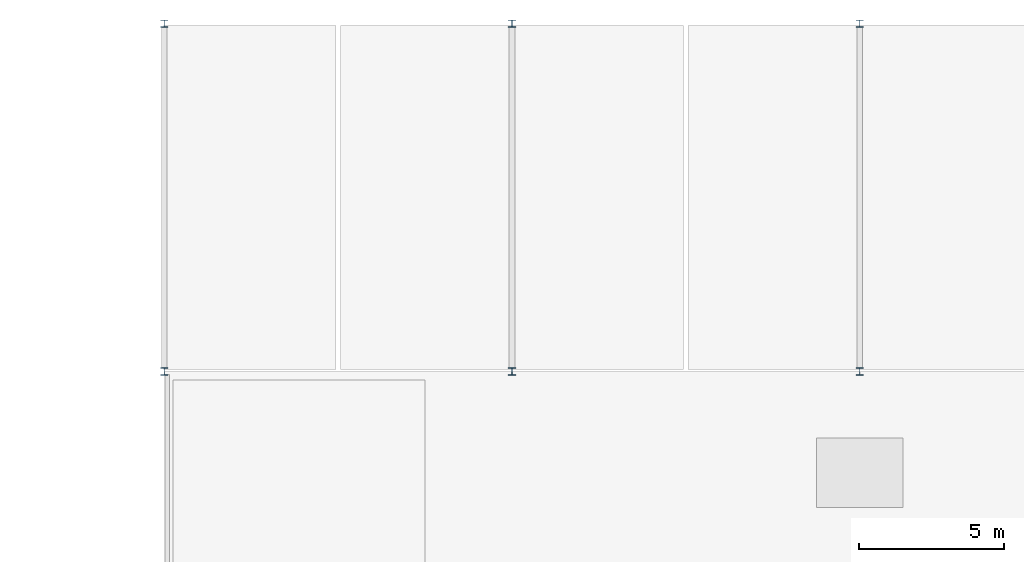
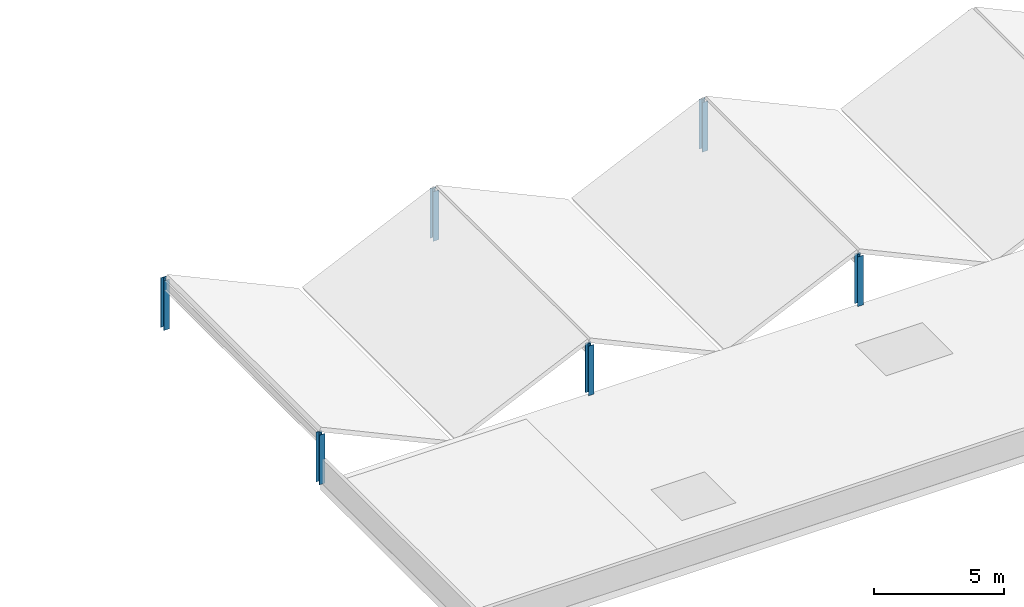
# One storey, part 3 of 83: 6 columns.
"""IFC4 building model written with IfcOpenShell, lengths in metres."""

import ifcopenshell
import ifcopenshell.guid

model = None  # the IFC model being written
_history = None  # IfcOwnerHistory: only IFC2X3 demands one
_inside = {}  # id of a spatial element -> (the spatial element, [elements in it])
_under = {}  # id of a project, library or spatial element -> (it, [spatial elements below it])
_declared = {}  # id of a project -> (the project, [libraries it declares])
_typed = {}  # id of a type object -> (the type object, [elements of that type])
_made_of = {}  # id of a material, layer set ... -> (it, [elements and type objects made of it])


def new_model(schema):
    """Start an empty IFC model of exactly this schema.

    Asked for "IFC4X3", IfcOpenShell would pick the latest addendum, in which some entities
    have other attributes; the version numbers below select the first issue.
    IFC2X3 requires an IfcOwnerHistory on every rooted entity: one is made here for all.
    """
    global model, _history
    if schema == "IFC4X3":
        model = ifcopenshell.file(schema_version=(4, 3, 0, 0))
    else:
        model = ifcopenshell.file(schema=schema)
    _inside.clear()
    _under.clear()
    _declared.clear()
    _typed.clear()
    _made_of.clear()
    _history = None
    if model.schema == "IFC2X3":
        org = make("IfcOrganization", Name="unknown")
        user = make(
            "IfcPersonAndOrganization",
            ThePerson=make("IfcPerson", FamilyName="unknown"),
            TheOrganization=org,
        )
        app = make(
            "IfcApplication",
            ApplicationDeveloper=org,
            Version="unknown",
            ApplicationFullName="unknown",
            ApplicationIdentifier="unknown",
        )
        _history = make(
            "IfcOwnerHistory",
            OwningUser=user,
            OwningApplication=app,
            ChangeAction="ADDED",
            CreationDate=0,
        )
    return model


def make(cls, **values):
    """One entity of the class cls with the attributes given. An attribute that is None is left unset."""
    return model.create_entity(
        cls, **{name: value for name, value in values.items() if value is not None}
    )


def rooted(cls, **values):
    """An entity with a GlobalId (a new one), such as an element, a storey or a relation."""
    return make(cls, GlobalId=ifcopenshell.guid.new(), OwnerHistory=_history, **values)


def si_unit(unit_type, name, prefix=None):
    """IfcSIUnit, for example si_unit("LENGTHUNIT", "METRE", prefix="MILLI")."""
    return make("IfcSIUnit", UnitType=unit_type, Prefix=prefix, Name=name)


def assignment(units):
    """IfcUnitAssignment: the units of a project."""
    return None if units is None else make("IfcUnitAssignment", Units=units)


def point(xyz):
    """IfcCartesianPoint."""
    return None if xyz is None else make("IfcCartesianPoint", Coordinates=xyz)


def direction(xyz):
    """IfcDirection."""
    return None if xyz is None else make("IfcDirection", DirectionRatios=xyz)


def frame(location, z_axis=None, x_axis=None):
    """IfcAxis2Placement3D, a coordinate frame: its origin and axes. An axis left out is left unset."""
    return make(
        "IfcAxis2Placement3D",
        Location=point(location),
        Axis=direction(z_axis),
        RefDirection=direction(x_axis),
    )


def frame_2d(location, x_axis=None):
    """IfcAxis2Placement2D, a coordinate frame in the plane: its origin and x axis."""
    return make(
        "IfcAxis2Placement2D", Location=point(location), RefDirection=direction(x_axis)
    )


def origin():
    """The frame at (0, 0, 0) with its axes left unset."""
    return frame((0.0, 0.0, 0.0))


def origin_2d():
    """The frame at (0, 0) in the plane with its x axis left unset."""
    return frame_2d((0.0, 0.0))


def place(relative_to, where):
    """IfcLocalPlacement: puts the frame where relative to a parent placement (None: the world)."""
    return make(
        "IfcLocalPlacement", PlacementRelTo=relative_to, RelativePlacement=where
    )


def context(
    kind, dimensions, precision=None, world=None, true_north=None, identifier=None
):
    """IfcGeometricRepresentationContext, for example the 3D "Model" context."""
    return make(
        "IfcGeometricRepresentationContext",
        ContextIdentifier=identifier,
        ContextType=kind,
        CoordinateSpaceDimension=dimensions,
        Precision=precision,
        WorldCoordinateSystem=world,
        TrueNorth=true_north,
    )


def subcontext(parent, identifier, kind, view, scale=None):
    """IfcGeometricRepresentationSubContext, for example "Body" below "Model"."""
    return make(
        "IfcGeometricRepresentationSubContext",
        ContextIdentifier=identifier,
        ContextType=kind,
        ParentContext=parent,
        TargetScale=scale,
        TargetView=view,
    )


def project(units=None, contexts=None):
    """IfcProject with its units and contexts."""
    return rooted(
        "IfcProject",
        Name="project",
        RepresentationContexts=contexts,
        UnitsInContext=assignment(units),
    )


def spatial(cls, under=None, at=None, **own):
    """A site, building, storey or space (cls), placed at a placement, below another one or the project."""
    s = rooted(cls, ObjectPlacement=at, **own)
    if under is not None:
        _under.setdefault(under.id(), (under, []))[1].append(s)
    return s


def profile(cls, at=None, kind="AREA", **sizes):
    """A parametric profile (cls). Its sizes go by their IFC names, for example OverallWidth=200.0."""
    return make(cls, ProfileType=kind, Position=at, **sizes)


def i_section(**sizes):
    """IfcIShapeProfileDef."""
    return profile("IfcIShapeProfileDef", **sizes)


def extrude(swept, where, along, depth):
    """IfcExtrudedAreaSolid: the profile swept, set in the frame where, extruded along a direction by depth."""
    return make(
        "IfcExtrudedAreaSolid",
        SweptArea=swept,
        Position=where,
        ExtrudedDirection=direction(along),
        Depth=depth,
    )


def shape(context_of_items, identifier, shape_type, items):
    """IfcShapeRepresentation: the items that make up one representation, for example the "Body"."""
    return make(
        "IfcShapeRepresentation",
        ContextOfItems=context_of_items,
        RepresentationIdentifier=identifier,
        RepresentationType=shape_type,
        Items=items,
    )


def material(Name=None, Category=None):
    """IfcMaterial."""
    return make("IfcMaterial", Name=Name, Category=Category)


def material_profile(
    of_material, cross_section, Name=None, Category=None, Priority=None
):
    """IfcMaterialProfile: a cross section and its material."""
    return make(
        "IfcMaterialProfile",
        Name=Name,
        Material=of_material,
        Profile=cross_section,
        Priority=Priority,
        Category=Category,
    )


def profile_set(profiles, Name=None, composite=None):
    """IfcMaterialProfileSet."""
    return make(
        "IfcMaterialProfileSet",
        Name=Name,
        MaterialProfiles=profiles,
        CompositeProfile=composite,
    )


def made_of(thing, what):
    """Note that an element or type object is made of a material, layer set ...; save() writes the relation."""
    if what is not None:
        _made_of.setdefault(what.id(), (what, []))[1].append(thing)
    return thing


def type_object(cls, material=None, **own):
    """A type object (cls), such as IfcWallType, which elements share."""
    return made_of(rooted(cls, **own), material)


def element(
    cls,
    number,
    at=None,
    inside=None,
    cuts=None,
    type_object=None,
    material=None,
    context=None,
    identifier="Body",
    shape_type=None,
    held_by="IfcProductDefinitionShape",
    body=None,
    shapes=None,
    **own,
):
    """One element of the class cls, such as IfcWall. Its Tag is "e" and its number.

    at: its placement. inside: the storey or other place that contains it. cuts: it is an
    opening in that element (IfcRelVoidsElement). A single representation is given by context,
    identifier, shape_type and body (its items); several are given by shapes. held_by: the class
    of the entity that holds the representations. save() writes the other relations.
    """
    e = rooted(cls, Tag="e%d" % number, ObjectPlacement=at, **own)
    if body is not None:
        shapes = [shape(context, identifier, shape_type, body)]
    if shapes is not None:
        e.Representation = make(held_by, Representations=shapes)
    if inside is not None:
        _inside.setdefault(inside.id(), (inside, []))[1].append(e)
    if cuts is not None:
        rooted(
            "IfcRelVoidsElement", RelatingBuildingElement=cuts, RelatedOpeningElement=e
        )
    if type_object is not None:
        _typed.setdefault(type_object.id(), (type_object, []))[1].append(e)
    return made_of(e, material)


def aggregate(whole, parts):
    """IfcRelAggregates: a whole, such as a stair, and the parts it consists of."""
    return rooted("IfcRelAggregates", RelatingObject=whole, RelatedObjects=parts)


def save(model, path):
    """Write the relations noted so far, then the file.

    IfcRelAggregates (storeys below a building ...), IfcRelContainedInSpatialStructure (elements
    in a storey), IfcRelDefinesByType, IfcRelAssociatesMaterial and IfcRelDeclares: one each for
    every whole, place, type object, material and project.
    """
    for whole, parts in _under.values():
        aggregate(whole, parts)
    for where, things in _inside.values():
        rooted(
            "IfcRelContainedInSpatialStructure",
            RelatedElements=things,
            RelatingStructure=where,
        )
    for kind, things in _typed.values():
        rooted("IfcRelDefinesByType", RelatedObjects=things, RelatingType=kind)
    for what, things in _made_of.values():
        rooted("IfcRelAssociatesMaterial", RelatedObjects=things, RelatingMaterial=what)
    for by, libraries in _declared.values():
        rooted("IfcRelDeclares", RelatingContext=by, RelatedDefinitions=libraries)
    model.write(path)


model = new_model("IFC4")

# Units and contexts
model_context = context("Model", 3, precision=1e-05, world=origin(), true_north=direction((0.0, 1.0)))
body_context = subcontext(model_context, "Body", "Model", "MODEL_VIEW")
ifc_project = project(units=[si_unit("LENGTHUNIT", "METRE"), si_unit("AREAUNIT", "SQUARE_METRE"), si_unit("VOLUMEUNIT", "CUBIC_METRE"), si_unit("PLANEANGLEUNIT", "RADIAN"), si_unit("MASSUNIT", "GRAM", prefix="KILO")], contexts=[model_context])

# Site, building, storey
site_placement = place(None, origin())
site = spatial("IfcSite", under=ifc_project, at=site_placement, CompositionType="ELEMENT")
building_placement = place(site_placement, origin())
building = spatial("IfcBuilding", under=site, at=building_placement, Name="Pandanus Reach Market Hall", CompositionType="ELEMENT")
storey_placement = place(building_placement, frame((0.0, 0.0, 10.199951171875)))
storey = spatial("IfcBuildingStorey", under=building, at=storey_placement, Name="L02", CompositionType="ELEMENT", Elevation=10.199951171875)

# Columns
ifc_material = material(Name="Steel Grade 350 (350 MPa)", Category="steel")
ifc_material_profile = material_profile(ifc_material, i_section(OverallWidth=0.25390625, OverallDepth=0.25390625, WebThickness=0.008544921875, FlangeThickness=0.01416015625, at=origin_2d()), Name="250UC72.9", Category="LoadBearing")
ifc_profile_set = profile_set([ifc_material_profile], Name="Steel Grade 350 (350 MPa)")
column_type = type_object("IfcColumnType", Name="CL-UC250-I", PredefinedType="COLUMN", material=ifc_profile_set)
for number, where, z_axis, x_axis, name in (
    (1, (60.0, 108.0, 0.0), (0.0, 0.0, 1.0), (1.0, 0.0, 0.0), "Butterfly shell ridge support post L02.17"),
    (2, (60.0, 120.0, 0.0), (0.0, 0.0, 1.0), (1.0, 0.0, 0.0), "Butterfly shell ridge support post L02.18"),
    (3, (72.0, 108.0, 0.0), (0.0, 0.0, 1.0), (1.0, 0.0, 0.0), "Butterfly shell ridge support post L02.19"),
    (4, (72.0, 120.0, 0.0), (0.0, 0.0, 1.0), (1.0, 0.0, 0.0), "Butterfly shell ridge support post L02.20"),
    (5, (84.0, 108.0, 0.0), (0.0, 0.0, 1.0), (1.0, 0.0, 0.0), "Butterfly shell ridge support post L02.21"),
    (6, (84.0, 120.0, 0.0), (0.0, 0.0, 1.0), (1.0, 0.0, 0.0), "Butterfly shell ridge support post L02.22"),
):
    element("IfcColumn", number, at=place(storey_placement, frame(where, z_axis=z_axis, x_axis=x_axis)), inside=storey, type_object=column_type, Name=name, PredefinedType="COLUMN", context=body_context, shape_type="SweptSolid", body=[
        extrude(i_section(OverallWidth=0.25390625, OverallDepth=0.25390625, WebThickness=0.008544921875, FlangeThickness=0.01416015625, at=origin_2d()), origin(), (0.0, 0.0, 1.0), 2.340087890625),
    ])

save(model, "model.ifc")
